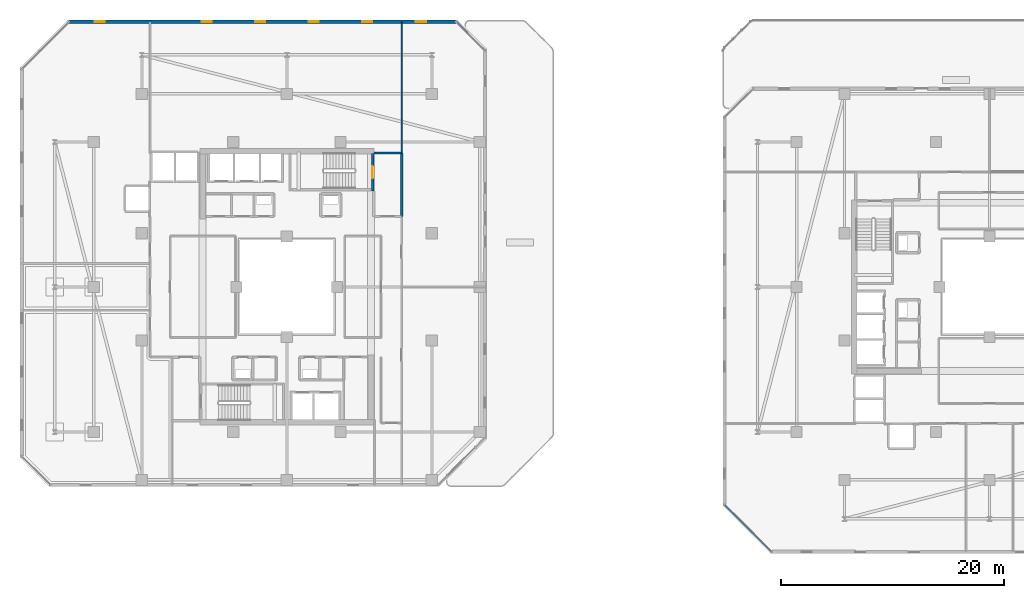
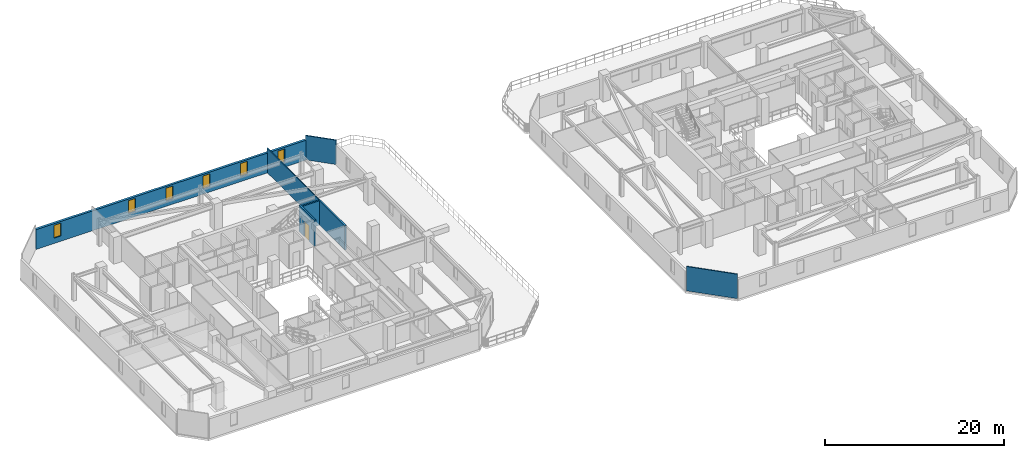
# One storey, part 23 of 32: 7 walls, 6 windows, 1 door, 7 openings.
"""IFC4 building model written with IfcOpenShell, lengths in metres."""

import ifcopenshell
import ifcopenshell.guid

model = None  # the IFC model being written
_history = None  # IfcOwnerHistory: only IFC2X3 demands one
_inside = {}  # id of a spatial element -> (the spatial element, [elements in it])
_under = {}  # id of a project, library or spatial element -> (it, [spatial elements below it])
_declared = {}  # id of a project -> (the project, [libraries it declares])
_typed = {}  # id of a type object -> (the type object, [elements of that type])
_made_of = {}  # id of a material, layer set ... -> (it, [elements and type objects made of it])


def new_model(schema):
    """Start an empty IFC model of exactly this schema.

    Asked for "IFC4X3", IfcOpenShell would pick the latest addendum, in which some entities
    have other attributes; the version numbers below select the first issue.
    IFC2X3 requires an IfcOwnerHistory on every rooted entity: one is made here for all.
    """
    global model, _history
    if schema == "IFC4X3":
        model = ifcopenshell.file(schema_version=(4, 3, 0, 0))
    else:
        model = ifcopenshell.file(schema=schema)
    _inside.clear()
    _under.clear()
    _declared.clear()
    _typed.clear()
    _made_of.clear()
    _history = None
    if model.schema == "IFC2X3":
        org = make("IfcOrganization", Name="unknown")
        user = make(
            "IfcPersonAndOrganization",
            ThePerson=make("IfcPerson", FamilyName="unknown"),
            TheOrganization=org,
        )
        app = make(
            "IfcApplication",
            ApplicationDeveloper=org,
            Version="unknown",
            ApplicationFullName="unknown",
            ApplicationIdentifier="unknown",
        )
        _history = make(
            "IfcOwnerHistory",
            OwningUser=user,
            OwningApplication=app,
            ChangeAction="ADDED",
            CreationDate=0,
        )
    return model


def make(cls, **values):
    """One entity of the class cls with the attributes given. An attribute that is None is left unset."""
    return model.create_entity(
        cls, **{name: value for name, value in values.items() if value is not None}
    )


def rooted(cls, **values):
    """An entity with a GlobalId (a new one), such as an element, a storey or a relation."""
    return make(cls, GlobalId=ifcopenshell.guid.new(), OwnerHistory=_history, **values)


def si_unit(unit_type, name, prefix=None):
    """IfcSIUnit, for example si_unit("LENGTHUNIT", "METRE", prefix="MILLI")."""
    return make("IfcSIUnit", UnitType=unit_type, Prefix=prefix, Name=name)


def assignment(units):
    """IfcUnitAssignment: the units of a project."""
    return None if units is None else make("IfcUnitAssignment", Units=units)


def point(xyz):
    """IfcCartesianPoint."""
    return None if xyz is None else make("IfcCartesianPoint", Coordinates=xyz)


def direction(xyz):
    """IfcDirection."""
    return None if xyz is None else make("IfcDirection", DirectionRatios=xyz)


def frame(location, z_axis=None, x_axis=None):
    """IfcAxis2Placement3D, a coordinate frame: its origin and axes. An axis left out is left unset."""
    return make(
        "IfcAxis2Placement3D",
        Location=point(location),
        Axis=direction(z_axis),
        RefDirection=direction(x_axis),
    )


def frame_2d(location, x_axis=None):
    """IfcAxis2Placement2D, a coordinate frame in the plane: its origin and x axis."""
    return make(
        "IfcAxis2Placement2D", Location=point(location), RefDirection=direction(x_axis)
    )


def origin():
    """The frame at (0, 0, 0) with its axes left unset."""
    return frame((0.0, 0.0, 0.0))


def place(relative_to, where):
    """IfcLocalPlacement: puts the frame where relative to a parent placement (None: the world)."""
    return make(
        "IfcLocalPlacement", PlacementRelTo=relative_to, RelativePlacement=where
    )


def context(
    kind, dimensions, precision=None, world=None, true_north=None, identifier=None
):
    """IfcGeometricRepresentationContext, for example the 3D "Model" context."""
    return make(
        "IfcGeometricRepresentationContext",
        ContextIdentifier=identifier,
        ContextType=kind,
        CoordinateSpaceDimension=dimensions,
        Precision=precision,
        WorldCoordinateSystem=world,
        TrueNorth=true_north,
    )


def subcontext(parent, identifier, kind, view, scale=None):
    """IfcGeometricRepresentationSubContext, for example "Body" below "Model"."""
    return make(
        "IfcGeometricRepresentationSubContext",
        ContextIdentifier=identifier,
        ContextType=kind,
        ParentContext=parent,
        TargetScale=scale,
        TargetView=view,
    )


def project(units=None, contexts=None):
    """IfcProject with its units and contexts."""
    return rooted(
        "IfcProject",
        Name="project",
        RepresentationContexts=contexts,
        UnitsInContext=assignment(units),
    )


def spatial(cls, under=None, at=None, **own):
    """A site, building, storey or space (cls), placed at a placement, below another one or the project."""
    s = rooted(cls, ObjectPlacement=at, **own)
    if under is not None:
        _under.setdefault(under.id(), (under, []))[1].append(s)
    return s


def profile(cls, at=None, kind="AREA", **sizes):
    """A parametric profile (cls). Its sizes go by their IFC names, for example OverallWidth=200.0."""
    return make(cls, ProfileType=kind, Position=at, **sizes)


def rectangle(**sizes):
    """IfcRectangleProfileDef."""
    return profile("IfcRectangleProfileDef", **sizes)


def extrude(swept, where, along, depth):
    """IfcExtrudedAreaSolid: the profile swept, set in the frame where, extruded along a direction by depth."""
    return make(
        "IfcExtrudedAreaSolid",
        SweptArea=swept,
        Position=where,
        ExtrudedDirection=direction(along),
        Depth=depth,
    )


def shape(context_of_items, identifier, shape_type, items):
    """IfcShapeRepresentation: the items that make up one representation, for example the "Body"."""
    return make(
        "IfcShapeRepresentation",
        ContextOfItems=context_of_items,
        RepresentationIdentifier=identifier,
        RepresentationType=shape_type,
        Items=items,
    )


def material(Name=None, Category=None):
    """IfcMaterial."""
    return make("IfcMaterial", Name=Name, Category=Category)


def layer(
    of_material, thickness, ventilated=None, Name=None, Category=None, Priority=None
):
    """IfcMaterialLayer: one layer of a wall or slab, of a material (None: an air gap)."""
    return make(
        "IfcMaterialLayer",
        Material=of_material,
        LayerThickness=thickness,
        IsVentilated=ventilated,
        Name=Name,
        Category=Category,
        Priority=Priority,
    )


def layer_set(layers, Name=None):
    """IfcMaterialLayerSet."""
    return make("IfcMaterialLayerSet", MaterialLayers=layers, LayerSetName=Name)


def made_of(thing, what):
    """Note that an element or type object is made of a material, layer set ...; save() writes the relation."""
    if what is not None:
        _made_of.setdefault(what.id(), (what, []))[1].append(thing)
    return thing


def type_object(cls, material=None, **own):
    """A type object (cls), such as IfcWallType, which elements share."""
    return made_of(rooted(cls, **own), material)


def element(
    cls,
    number,
    at=None,
    inside=None,
    cuts=None,
    type_object=None,
    material=None,
    context=None,
    identifier="Body",
    shape_type=None,
    held_by="IfcProductDefinitionShape",
    body=None,
    shapes=None,
    **own,
):
    """One element of the class cls, such as IfcWall. Its Tag is "e" and its number.

    at: its placement. inside: the storey or other place that contains it. cuts: it is an
    opening in that element (IfcRelVoidsElement). A single representation is given by context,
    identifier, shape_type and body (its items); several are given by shapes. held_by: the class
    of the entity that holds the representations. save() writes the other relations.
    """
    e = rooted(cls, Tag="e%d" % number, ObjectPlacement=at, **own)
    if body is not None:
        shapes = [shape(context, identifier, shape_type, body)]
    if shapes is not None:
        e.Representation = make(held_by, Representations=shapes)
    if inside is not None:
        _inside.setdefault(inside.id(), (inside, []))[1].append(e)
    if cuts is not None:
        rooted(
            "IfcRelVoidsElement", RelatingBuildingElement=cuts, RelatedOpeningElement=e
        )
    if type_object is not None:
        _typed.setdefault(type_object.id(), (type_object, []))[1].append(e)
    return made_of(e, material)


def fill(opening, filler):
    """IfcRelFillsElement: the door or window that sits in an opening."""
    return rooted(
        "IfcRelFillsElement",
        RelatingOpeningElement=opening,
        RelatedBuildingElement=filler,
    )


def aggregate(whole, parts):
    """IfcRelAggregates: a whole, such as a stair, and the parts it consists of."""
    return rooted("IfcRelAggregates", RelatingObject=whole, RelatedObjects=parts)


def save(model, path):
    """Write the relations noted so far, then the file.

    IfcRelAggregates (storeys below a building ...), IfcRelContainedInSpatialStructure (elements
    in a storey), IfcRelDefinesByType, IfcRelAssociatesMaterial and IfcRelDeclares: one each for
    every whole, place, type object, material and project.
    """
    for whole, parts in _under.values():
        aggregate(whole, parts)
    for where, things in _inside.values():
        rooted(
            "IfcRelContainedInSpatialStructure",
            RelatedElements=things,
            RelatingStructure=where,
        )
    for kind, things in _typed.values():
        rooted("IfcRelDefinesByType", RelatedObjects=things, RelatingType=kind)
    for what, things in _made_of.values():
        rooted("IfcRelAssociatesMaterial", RelatedObjects=things, RelatingMaterial=what)
    for by, libraries in _declared.values():
        rooted("IfcRelDeclares", RelatingContext=by, RelatedDefinitions=libraries)
    model.write(path)


model = new_model("IFC4")

# Units and contexts
model_context = context("Model", 3, precision=1e-05, world=origin(), true_north=direction((0.0, 1.0)))
body_context = subcontext(model_context, "Body", "Model", "MODEL_VIEW")
ifc_project = project(units=[si_unit("LENGTHUNIT", "METRE"), si_unit("AREAUNIT", "SQUARE_METRE"), si_unit("VOLUMEUNIT", "CUBIC_METRE"), si_unit("PLANEANGLEUNIT", "RADIAN"), si_unit("MASSUNIT", "GRAM", prefix="KILO")], contexts=[model_context])

# Site, building, storey
site_placement = place(None, origin())
site = spatial("IfcSite", under=ifc_project, at=site_placement, CompositionType="ELEMENT")
building_placement = place(site_placement, origin())
building = spatial("IfcBuilding", under=site, at=building_placement, Name="Thornwick Lancets Civic Towers", CompositionType="ELEMENT")
storey_placement = place(building_placement, frame((0.0, 0.0, 200.10009765625)))
storey = spatial("IfcBuildingStorey", under=building, at=storey_placement, Name="L53", CompositionType="ELEMENT", Elevation=200.10009765625)

# Walls
ifc_material_1 = material(Name="Concrete blockwork C40/50", Category="masonry")
ifc_layer_1 = layer(ifc_material_1, 0.199951171875, Name="Concrete blockwork C40/50")
ifc_layer_set_1 = layer_set([ifc_layer_1], Name="Concrete blockwork C40/50")
wall_type_1 = type_object("IfcWallType", Name="WALL_COMP_200", PredefinedType="STANDARD", material=ifc_layer_set_1)
wall_1_placement = place(storey_placement, frame((35.800048828125, 33.300048828125, 0.0), z_axis=(0.0, 0.0, 1.0), x_axis=(0.0, 1.0, 0.0)))
element("IfcWall", 1, at=wall_1_placement, inside=storey, type_object=wall_type_1, Name="L53 Partition L53-A-FFLOB2 E2", PredefinedType="STANDARD", context=body_context, shape_type="SweptSolid", body=[
    extrude(rectangle(XDim=5.699951171875, YDim=0.199951171875, at=frame_2d((2.85009765625, 0.0))), origin(), (0.0, 0.0, 1.0), 3.31982421875),
])
wall_2_placement = place(storey_placement, frame((35.800048828125, 39.0, 0.0), z_axis=(0.0, 0.0, 1.0), x_axis=(-1.0, 0.0, 0.0)))
element("IfcWall", 2, at=wall_2_placement, inside=storey, type_object=wall_type_1, Name="L53 Partition L53-A-FFLOB2 E3", PredefinedType="STANDARD", context=body_context, shape_type="SweptSolid", body=[
    extrude(rectangle(XDim=2.5, YDim=0.199951171875, at=frame_2d((1.25, 0.0))), origin(), (0.0, 0.0, 1.0), 3.31982421875),
])

# Wall, openings, windows
ifc_material_2 = material(Name="Insulated russet terracotta rainscreen on concrete C40/50", Category="masonry")
ifc_layer_2 = layer(ifc_material_2, 0.300048828125, Name="Insulated russet terracotta rainscreen on concrete C40/50")
ifc_layer_set_2 = layer_set([ifc_layer_2], Name="Insulated russet terracotta rainscreen on concrete C40/50")
wall_type_2 = type_object("IfcWallType", Name="WALL_EXT_RUSSET_300", PredefinedType="STANDARD", material=ifc_layer_set_2)
wall_3_placement = place(storey_placement, frame((40.681396484375, 50.7646484375, 0.0), z_axis=(0.0, 0.0, 1.0), x_axis=(-0.999999988026, -0.000154754115, 0.0)))
wall_3 = element("IfcWall", 3, at=wall_3_placement, inside=storey, type_object=wall_type_2, Name="L53 Tower A Terracotta Facade Wall E4", PredefinedType="STANDARD", context=body_context, shape_type="SweptSolid", body=[
    extrude(rectangle(XDim=34.707275390625, YDim=0.300048828125, at=frame_2d((17.353515625, 0.0))), origin(), (0.0, 0.0, 1.0), 2.699951171875),
])
opening_1_placement = place(wall_3_placement, frame((2.699951171875, 0.0, 0.719970703125)))
opening_1 = element("IfcOpeningElement", 4, at=opening_1_placement, cuts=wall_3, Name="Opening WL-01", PredefinedType="OPENING", context=body_context, shape_type="SweptSolid", body=[
    extrude(rectangle(XDim=0.89990234375, YDim=1.75, at=frame_2d((0.449951171875, 0.875))), frame((0.0, 0.16015625, 0.0), z_axis=(0.0, -1.0, 0.0), x_axis=(1.0, 0.0, 0.0)), (0.0, 0.0, 1.0), 0.320068359375),
])
opening_2_placement = place(wall_3_placement, frame((7.5, 0.0, 0.719970703125)))
opening_2 = element("IfcOpeningElement", 5, at=opening_2_placement, cuts=wall_3, Name="Opening WL-01", PredefinedType="OPENING", context=body_context, shape_type="SweptSolid", body=[
    extrude(rectangle(XDim=0.89990234375, YDim=1.75, at=frame_2d((0.449951171875, 0.875))), frame((0.0, 0.16015625, 0.0), z_axis=(0.0, -1.0, 0.0), x_axis=(1.0, 0.0, 0.0)), (0.0, 0.0, 1.0), 0.320068359375),
])
opening_3_placement = place(wall_3_placement, frame((12.300048828125, 0.0, 0.719970703125)))
opening_3 = element("IfcOpeningElement", 6, at=opening_3_placement, cuts=wall_3, Name="Opening WL-01", PredefinedType="OPENING", context=body_context, shape_type="SweptSolid", body=[
    extrude(rectangle(XDim=0.89990234375, YDim=1.75, at=frame_2d((0.449951171875, 0.875))), frame((0.0, 0.16015625, 0.0), z_axis=(0.0, -1.0, 0.0), x_axis=(1.0, 0.0, 0.0)), (0.0, 0.0, 1.0), 0.320068359375),
])
opening_4_placement = place(wall_3_placement, frame((17.10009765625, 0.0, 0.719970703125)))
opening_4 = element("IfcOpeningElement", 7, at=opening_4_placement, cuts=wall_3, Name="Opening WL-01", PredefinedType="OPENING", context=body_context, shape_type="SweptSolid", body=[
    extrude(rectangle(XDim=0.89990234375, YDim=1.75, at=frame_2d((0.449951171875, 0.875))), frame((0.0, 0.16015625, 0.0), z_axis=(0.0, -1.0, 0.0), x_axis=(1.0, 0.0, 0.0)), (0.0, 0.0, 1.0), 0.320068359375),
])
opening_5_placement = place(wall_3_placement, frame((21.89990234375, 0.0, 0.719970703125)))
opening_5 = element("IfcOpeningElement", 8, at=opening_5_placement, cuts=wall_3, Name="Opening WL-01", PredefinedType="OPENING", context=body_context, shape_type="SweptSolid", body=[
    extrude(rectangle(XDim=0.89990234375, YDim=1.75, at=frame_2d((0.449951171875, 0.875))), frame((0.0, 0.16015625, 0.0), z_axis=(0.0, -1.0, 0.0), x_axis=(1.0, 0.0, 0.0)), (0.0, 0.0, 1.0), 0.320068359375),
])
opening_6_placement = place(wall_3_placement, frame((31.5, 0.0, 0.719970703125)))
opening_6 = element("IfcOpeningElement", 9, at=opening_6_placement, cuts=wall_3, Name="Opening WL-01", PredefinedType="OPENING", context=body_context, shape_type="SweptSolid", body=[
    extrude(rectangle(XDim=0.89990234375, YDim=1.75, at=frame_2d((0.449951171875, 0.875))), frame((0.0, 0.16015625, 0.0), z_axis=(0.0, -1.0, 0.0), x_axis=(1.0, 0.0, 0.0)), (0.0, 0.0, 1.0), 0.320068359375),
])
ifc_material_3 = material(Name="Clear low-e double glazing in bronze frame", Category="glass")
window_type = type_object("IfcWindowType", Name="WIN_LANCET_900", PartitioningType="SINGLE_PANEL", PredefinedType="WINDOW", material=ifc_material_3)
window_1_placement = place(opening_1_placement, origin())
window_1 = element("IfcWindow", 10, at=window_1_placement, inside=storey, type_object=window_type, Name="L53 Tower A Staggered Lancet Window E4-1", OverallHeight=1.75, OverallWidth=0.89990234375, PartitioningType="SINGLE_PANEL", PredefinedType="WINDOW", context=body_context, shape_type="SweptSolid", body=[
    extrude(rectangle(XDim=0.89990234375, YDim=1.75, at=frame_2d((0.449951171875, 0.875))), frame((0.0, 0.030029296875, 0.0), z_axis=(0.0, -1.0, 0.0), x_axis=(1.0, 0.0, 0.0)), (0.0, 0.0, 1.0), 0.06005859375),
])
fill(opening_1, window_1)
window_2_placement = place(opening_2_placement, origin())
window_2 = element("IfcWindow", 11, at=window_2_placement, inside=storey, type_object=window_type, Name="L53 Tower A Staggered Lancet Window E4-2", OverallHeight=1.75, OverallWidth=0.89990234375, PartitioningType="SINGLE_PANEL", PredefinedType="WINDOW", context=body_context, shape_type="SweptSolid", body=[
    extrude(rectangle(XDim=0.89990234375, YDim=1.75, at=frame_2d((0.449951171875, 0.875))), frame((0.0, 0.030029296875, 0.0), z_axis=(0.0, -1.0, 0.0), x_axis=(1.0, 0.0, 0.0)), (0.0, 0.0, 1.0), 0.06005859375),
])
fill(opening_2, window_2)
window_3_placement = place(opening_3_placement, origin())
window_3 = element("IfcWindow", 12, at=window_3_placement, inside=storey, type_object=window_type, Name="L53 Tower A Staggered Lancet Window E4-3", OverallHeight=1.75, OverallWidth=0.89990234375, PartitioningType="SINGLE_PANEL", PredefinedType="WINDOW", context=body_context, shape_type="SweptSolid", body=[
    extrude(rectangle(XDim=0.89990234375, YDim=1.75, at=frame_2d((0.449951171875, 0.875))), frame((0.0, 0.030029296875, 0.0), z_axis=(0.0, -1.0, 0.0), x_axis=(1.0, 0.0, 0.0)), (0.0, 0.0, 1.0), 0.06005859375),
])
fill(opening_3, window_3)
window_4_placement = place(opening_4_placement, origin())
window_4 = element("IfcWindow", 13, at=window_4_placement, inside=storey, type_object=window_type, Name="L53 Tower A Staggered Lancet Window E4-4", OverallHeight=1.75, OverallWidth=0.89990234375, PartitioningType="SINGLE_PANEL", PredefinedType="WINDOW", context=body_context, shape_type="SweptSolid", body=[
    extrude(rectangle(XDim=0.89990234375, YDim=1.75, at=frame_2d((0.449951171875, 0.875))), frame((0.0, 0.030029296875, 0.0), z_axis=(0.0, -1.0, 0.0), x_axis=(1.0, 0.0, 0.0)), (0.0, 0.0, 1.0), 0.06005859375),
])
fill(opening_4, window_4)
window_5_placement = place(opening_5_placement, origin())
window_5 = element("IfcWindow", 14, at=window_5_placement, inside=storey, type_object=window_type, Name="L53 Tower A Staggered Lancet Window E4-5", OverallHeight=1.75, OverallWidth=0.89990234375, PartitioningType="SINGLE_PANEL", PredefinedType="WINDOW", context=body_context, shape_type="SweptSolid", body=[
    extrude(rectangle(XDim=0.89990234375, YDim=1.75, at=frame_2d((0.449951171875, 0.875))), frame((0.0, 0.030029296875, 0.0), z_axis=(0.0, -1.0, 0.0), x_axis=(1.0, 0.0, 0.0)), (0.0, 0.0, 1.0), 0.06005859375),
])
fill(opening_5, window_5)
window_6_placement = place(opening_6_placement, origin())
window_6 = element("IfcWindow", 15, at=window_6_placement, inside=storey, type_object=window_type, Name="L53 Tower A Staggered Lancet Window E4-6", OverallHeight=1.75, OverallWidth=0.89990234375, PartitioningType="SINGLE_PANEL", PredefinedType="WINDOW", context=body_context, shape_type="SweptSolid", body=[
    extrude(rectangle(XDim=0.89990234375, YDim=1.75, at=frame_2d((0.449951171875, 0.875))), frame((0.0, 0.030029296875, 0.0), z_axis=(0.0, -1.0, 0.0), x_axis=(1.0, 0.0, 0.0)), (0.0, 0.0, 1.0), 0.06005859375),
])
fill(opening_6, window_6)

# Walls
ifc_material_4 = material(Name="Acoustic gypsum board partition")
ifc_layer_3 = layer(ifc_material_4, 0.1201171875, Name="Acoustic gypsum board partition")
ifc_layer_set_3 = layer_set([ifc_layer_3], Name="Acoustic gypsum board partition")
wall_type_3 = type_object("IfcWallType", Name="WALL_PART_120", PredefinedType="PARTITIONING", material=ifc_layer_set_3)
wall_4_placement = place(storey_placement, frame((35.800048828125, 39.0, 0.0), z_axis=(0.0, 0.0, 1.0), x_axis=(0.0, 1.0, 0.0)))
element("IfcWall", 16, at=wall_4_placement, inside=storey, type_object=wall_type_3, Name="L53 Partition L53-A-E2 E2", PredefinedType="PARTITIONING", context=body_context, shape_type="SweptSolid", body=[
    extrude(rectangle(XDim=11.719970703125, YDim=0.1201171875, at=frame_2d((5.85986328125, 0.0))), origin(), (0.0, 0.0, 1.0), 3.31982421875),
])
wall_5_placement = place(storey_placement, frame((40.725341796875, 50.719970703125, 0.0), z_axis=(0.0, 0.0, 1.0), x_axis=(0.707106781187, -0.707106781187, 0.0)))
element("IfcWall", 17, at=wall_5_placement, inside=storey, type_object=wall_type_3, Name="L53 Partition L53-A-E2 E4", PredefinedType="PARTITIONING", context=body_context, shape_type="SweptSolid", body=[
    extrude(rectangle(XDim=3.52783203125, YDim=0.1201171875, at=frame_2d((1.763916015625, 0.0))), origin(), (0.0, 0.0, 1.0), 3.31982421875),
])
wall_6_placement = place(storey_placement, frame((68.9365234375, 3.280029296875, 0.0), z_axis=(0.0, 0.0, 1.0), x_axis=(-0.707106781187, 0.707106781187, 0.0)))
element("IfcWall", 18, at=wall_6_placement, inside=storey, type_object=wall_type_3, Name="L53 Partition L53-B-W2B E2", PredefinedType="PARTITIONING", context=body_context, shape_type="SweptSolid", body=[
    extrude(rectangle(XDim=5.878173828125, YDim=0.1201171875, at=frame_2d((2.93896484375, 0.0))), origin(), (0.0, 0.0, 1.0), 3.31982421875),
])

# Wall, opening, door
ifc_material_5 = material(Name="Concrete C40/50", Category="concrete")
ifc_layer_4 = layer(ifc_material_5, 0.199951171875, Name="Concrete C40/50")
ifc_layer_set_4 = layer_set([ifc_layer_4], Name="Concrete C40/50")
wall_type_4 = type_object("IfcWallType", Name="WALL_SHAFT_200", PredefinedType="SHEAR", material=ifc_layer_set_4)
wall_7_placement = place(storey_placement, frame((33.199951171875, 38.949951171875, 0.0), z_axis=(0.0, 0.0, 1.0), x_axis=(0.0, -1.0, 0.0)))
wall_7 = element("IfcWall", 19, at=wall_7_placement, inside=storey, type_object=wall_type_4, Name="L53 ST-A2 Fire Stair Core Wall NEAR", PredefinedType="SHEAR", context=body_context, shape_type="SweptSolid", body=[
    extrude(rectangle(XDim=3.349853515625, YDim=0.199951171875, at=frame_2d((1.6748046875, 0.0))), origin(), (0.0, 0.0, 1.0), 3.599853515625),
])
opening_7_placement = place(wall_7_placement, frame((1.125, 0.0, 0.0)))
opening_7 = element("IfcOpeningElement", 20, at=opening_7_placement, cuts=wall_7, Name="Opening D-ST-A2-L53", PredefinedType="OPENING", context=body_context, shape_type="SweptSolid", body=[
    extrude(rectangle(XDim=1.10009765625, YDim=2.10009765625, at=frame_2d((0.550048828125, 1.050048828125))), frame((0.0, 0.10986328125, 0.0), z_axis=(0.0, -1.0, 0.0), x_axis=(1.0, 0.0, 0.0)), (0.0, 0.0, 1.0), 0.219970703125),
])
ifc_material_6 = material(Name="Fire-resisting steel and hardwood", Category="steel")
door_type = type_object("IfcDoorType", Name="DOOR_STAIR_FD60", OperationType="NOTDEFINED", PredefinedType="DOOR", material=ifc_material_6)
door_placement = place(opening_7_placement, origin())
door = element("IfcDoor", 21, at=door_placement, inside=storey, type_object=door_type, Name="L53 ST-A2 Exit Stair Door", OperationType="SINGLE_SWING_LEFT", OverallHeight=2.10009765625, OverallWidth=1.10009765625, PredefinedType="DOOR", context=body_context, shape_type="SweptSolid", body=[
    extrude(rectangle(XDim=1.10009765625, YDim=2.10009765625, at=frame_2d((0.550048828125, 1.050048828125))), frame((0.0, 0.02490234375, 0.0), z_axis=(0.0, -1.0, 0.0), x_axis=(1.0, 0.0, 0.0)), (0.0, 0.0, 1.0), 0.050048828125),
])
fill(opening_7, door)

save(model, "model.ifc")
